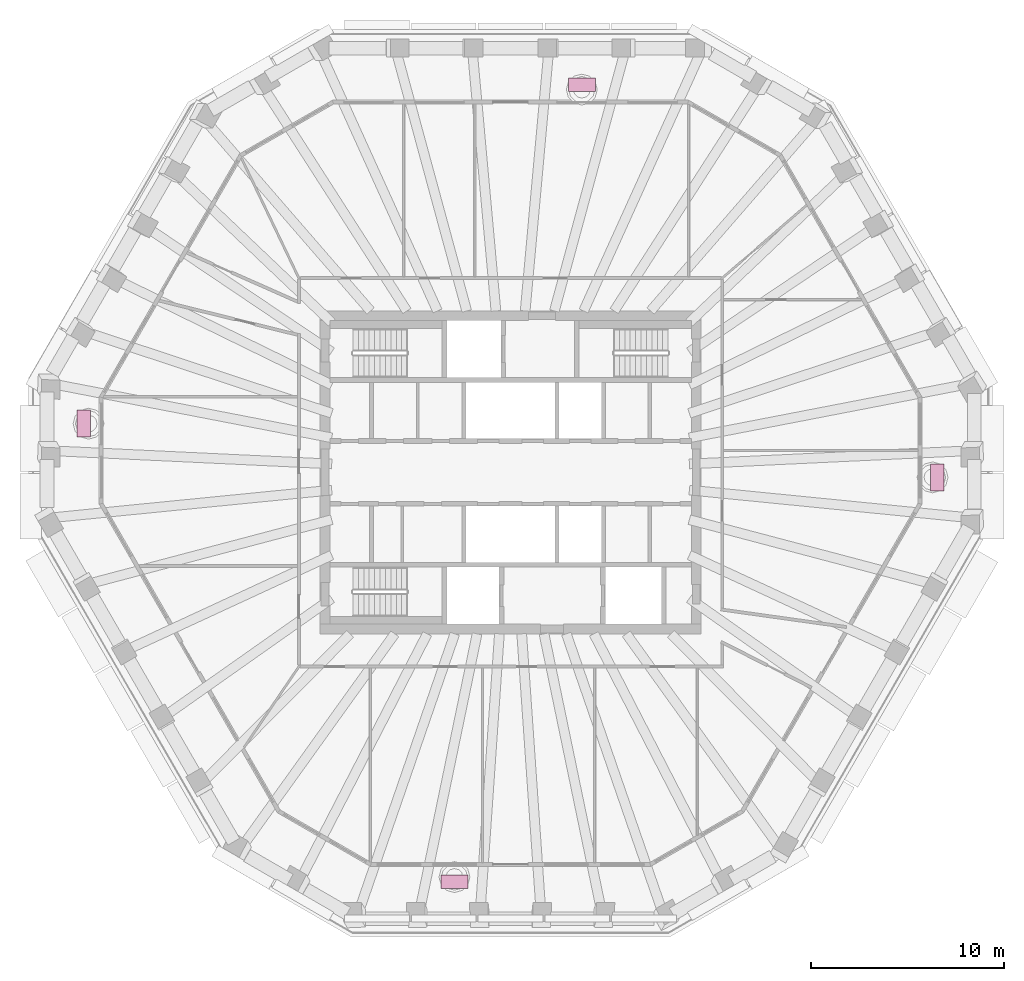
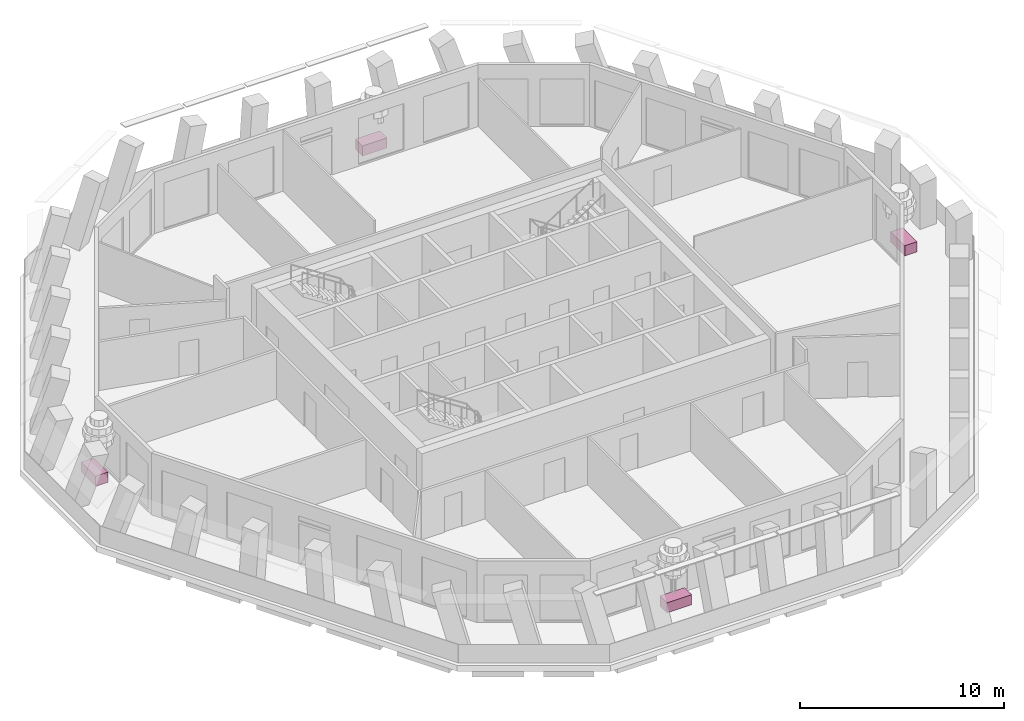
# One storey, part 10 of 11: 4 furniture elements.
"""IFC4 building model written with IfcOpenShell, lengths in metres."""

from ifc_helpers import new_model, si_unit, direction, frame, origin, origin_2d, place, context, subcontext, project, spatial, rectangle, extrude, material, type_object, element, save


model = new_model("IFC4")

# Units and contexts
model_context = context("Model", 3, precision=1e-05, world=origin(), true_north=direction((0.0, 1.0)))
body_context = subcontext(model_context, "Body", "Model", "MODEL_VIEW")
ifc_project = project(units=[si_unit("LENGTHUNIT", "METRE"), si_unit("AREAUNIT", "SQUARE_METRE"), si_unit("VOLUMEUNIT", "CUBIC_METRE"), si_unit("PLANEANGLEUNIT", "RADIAN"), si_unit("MASSUNIT", "GRAM", prefix="KILO")], contexts=[model_context])

# Site, building, storey
site_placement = place(None, origin())
site = spatial("IfcSite", under=ifc_project, at=site_placement, CompositionType="ELEMENT")
building_placement = place(site_placement, origin())
building = spatial("IfcBuilding", under=site, at=building_placement, Name="Frailejon Research Tower", CompositionType="ELEMENT")
storey_placement = place(building_placement, frame((0.0, 0.0, 299.0)))
storey = spatial("IfcBuildingStorey", under=building, at=storey_placement, Name="L66", CompositionType="ELEMENT", Elevation=299.0)

# Furniture
ifc_material = material(Name="Precast concrete C30/37 planter, terracotta", Category="masonry")
furniture_type = type_object("IfcFurnitureType", Name="Loggia planter 1400x700", AssemblyPlace="NOTDEFINED", PredefinedType="USERDEFINED", material=ifc_material)
for number, where, z_axis, x_axis, name in (
    (1, (22.076904296875, -0.2578125, 0.0), (0.0, 0.0, 1.0), (0.0, 1.0, 0.0), "Planter L66"),
    (2, (3.684814453125, 20.050048828125, 0.0), (0.0, 0.0, 1.0), (-1.0, 0.0, 0.0), "Planter L66"),
    (3, (-22.076904296875, 2.5205078125, 0.0), (0.0, 0.0, 1.0), (0.0, -1.0, 0.0), "Planter L66"),
    (4, (-2.90087890625, -21.181396484375, 0.0), (0.0, 0.0, 1.0), (1.0, 0.0, 0.0), "Planter L66"),
):
    element("IfcFurniture", number, at=place(storey_placement, frame(where, z_axis=z_axis, x_axis=x_axis)), inside=storey, type_object=furniture_type, Name=name, ObjectType="PLANTER", PredefinedType="USERDEFINED", context=body_context, shape_type="SweptSolid", body=[
        extrude(rectangle(XDim=1.39990234375, YDim=0.699951171875, at=origin_2d()), origin(), (0.0, 0.0, 1.0), 0.60009765625),
    ])

save(model, "model.ifc")
